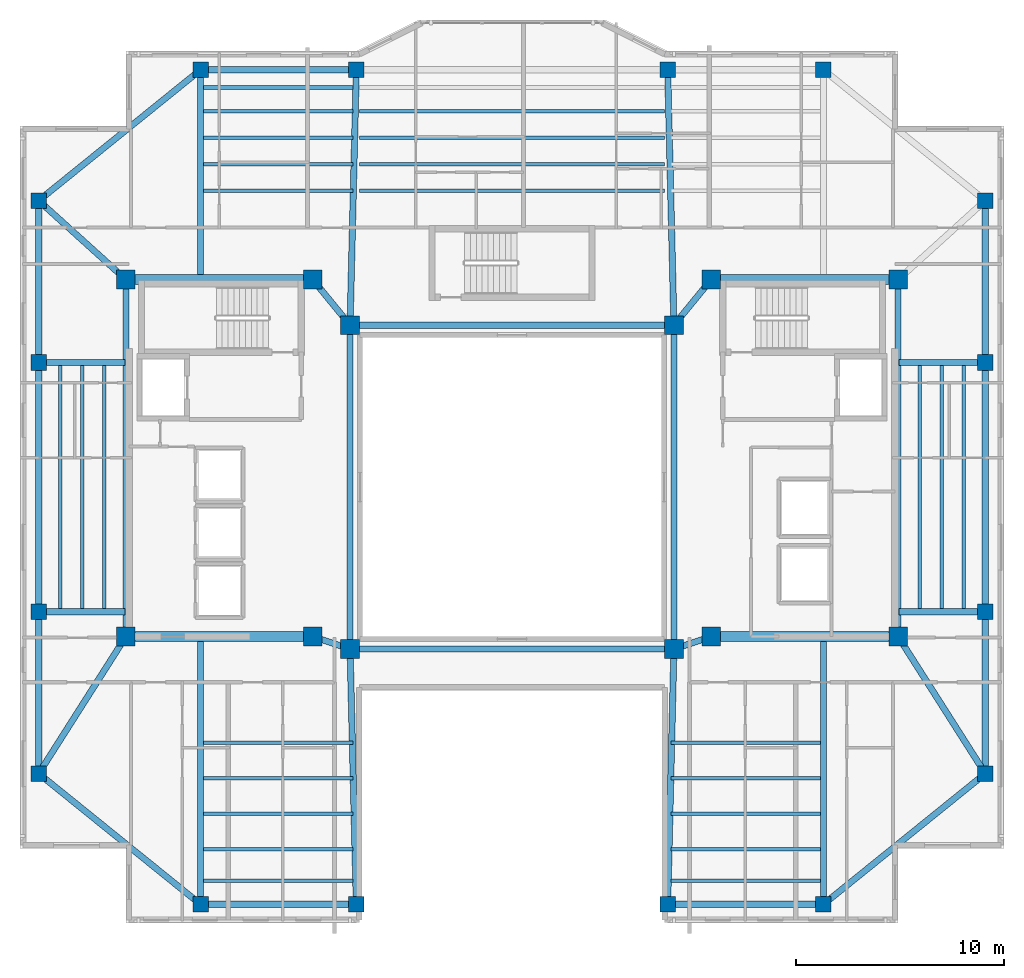
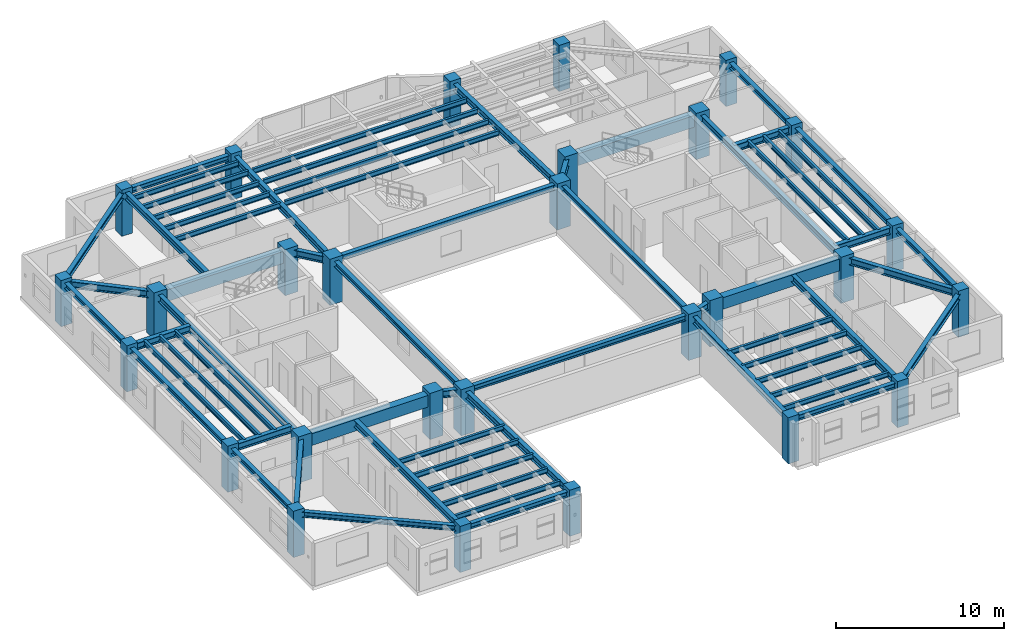
# One storey, part 1 of 12: 65 beams, 28 columns.
"""IFC4 building model written with IfcOpenShell, lengths in metres."""

from ifc_helpers import new_model, si_unit, direction, frame, origin, origin_2d, place, context, subcontext, project, spatial, rectangle, i_section, extrude, material, material_profile, profile_set, type_object, element, save


model = new_model("IFC4")

# Units and contexts
model_context = context("Model", 3, precision=1e-05, world=origin(), true_north=direction((0.0, 1.0)))
body_context = subcontext(model_context, "Body", "Model", "MODEL_VIEW")
ifc_project = project(units=[si_unit("LENGTHUNIT", "METRE"), si_unit("AREAUNIT", "SQUARE_METRE"), si_unit("VOLUMEUNIT", "CUBIC_METRE"), si_unit("PLANEANGLEUNIT", "RADIAN"), si_unit("MASSUNIT", "GRAM", prefix="KILO")], contexts=[model_context])

# Site, building, storey
site_placement = place(None, origin())
site = spatial("IfcSite", under=ifc_project, at=site_placement, CompositionType="ELEMENT")
building_placement = place(site_placement, origin())
building = spatial("IfcBuilding", under=site, at=building_placement, Name="Tarnavaz Court Tower", CompositionType="ELEMENT")
storey_placement = place(building_placement, frame((0.0, 0.0, 210.35009765625)))
storey = spatial("IfcBuildingStorey", under=building, at=storey_placement, Name="L57", CompositionType="ELEMENT", Elevation=210.35009765625)

# Columns
ifc_material_1 = material(Name="Concrete C50/60", Category="concrete")
ifc_material_profile_1 = material_profile(ifc_material_1, rectangle(XDim=0.75, YDim=0.75, at=origin_2d()), Name="RC 750X750")
ifc_profile_set_1 = profile_set([ifc_material_profile_1], Name="Concrete C50/60")
column_type_1 = type_object("IfcColumnType", Name="CL-RC750", PredefinedType="COLUMN", material=ifc_profile_set_1)
for number, where, z_axis, x_axis, name in (
    (1, (-15.0, 20.10009765625, 0.0), (0.0, 0.0, 1.0), (1.0, 0.0, 0.0), "L57 Column PN-1"),
    (2, (-7.5, 20.10009765625, 0.0), (0.0, 0.0, 1.0), (1.0, 0.0, 0.0), "L57 Column PN-2"),
    (3, (7.5, 20.10009765625, 0.0), (0.0, 0.0, 1.0), (1.0, 0.0, 0.0), "L57 Column PN-3"),
    (4, (15.0, 20.10009765625, 0.0), (0.0, 0.0, 1.0), (1.0, 0.0, 0.0), "L57 Column PN-4"),
    (5, (-15.0, -20.10009765625, 0.0), (0.0, 0.0, 1.0), (1.0, 0.0, 0.0), "L57 Column PS-1"),
    (6, (-7.5, -20.10009765625, 0.0), (0.0, 0.0, 1.0), (1.0, 0.0, 0.0), "L57 Column PS-2"),
    (7, (7.5, -20.10009765625, 0.0), (0.0, 0.0, 1.0), (1.0, 0.0, 0.0), "L57 Column PS-3"),
    (8, (15.0, -20.10009765625, 0.0), (0.0, 0.0, 1.0), (1.0, 0.0, 0.0), "L57 Column PS-4"),
    (9, (22.800048828125, -13.800048828125, 0.0), (0.0, 0.0, 1.0), (1.0, 0.0, 0.0), "L57 Column PE-1"),
    (10, (22.800048828125, -6.0, 0.0), (0.0, 0.0, 1.0), (1.0, 0.0, 0.0), "L57 Column PE-2"),
    (11, (22.800048828125, 6.0, 0.0), (0.0, 0.0, 1.0), (1.0, 0.0, 0.0), "L57 Column PE-3"),
    (12, (22.800048828125, 13.800048828125, 0.0), (0.0, 0.0, 1.0), (1.0, 0.0, 0.0), "L57 Column PE-4"),
    (13, (-22.800048828125, -13.800048828125, 0.0), (0.0, 0.0, 1.0), (1.0, 0.0, 0.0), "L57 Column PW-1"),
    (14, (-22.800048828125, -6.0, 0.0), (0.0, 0.0, 1.0), (1.0, 0.0, 0.0), "L57 Column PW-2"),
    (15, (-22.800048828125, 6.0, 0.0), (0.0, 0.0, 1.0), (1.0, 0.0, 0.0), "L57 Column PW-3"),
    (16, (-22.800048828125, 13.800048828125, 0.0), (0.0, 0.0, 1.0), (1.0, 0.0, 0.0), "L57 Column PW-4"),
):
    element("IfcColumn", number, at=place(storey_placement, frame(where, z_axis=z_axis, x_axis=x_axis)), inside=storey, type_object=column_type_1, Name=name, PredefinedType="COLUMN", context=body_context, shape_type="SweptSolid", body=[
        extrude(rectangle(XDim=0.75, YDim=0.75, at=origin_2d()), origin(), (0.0, 0.0, 1.0), 3.349853515625),
    ])
ifc_material_profile_2 = material_profile(ifc_material_1, rectangle(XDim=0.89990234375, YDim=0.89990234375, at=origin_2d()), Name="RC 900X900")
ifc_profile_set_2 = profile_set([ifc_material_profile_2], Name="Concrete C50/60")
column_type_2 = type_object("IfcColumnType", Name="CL-RC900", PredefinedType="COLUMN", material=ifc_profile_set_2)
for number, where, z_axis, x_axis, name in (
    (17, (-7.800048828125, -7.800048828125, 0.0), (0.0, 0.0, 1.0), (1.0, 0.0, 0.0), "L57 Column IW-SW"),
    (18, (7.800048828125, -7.800048828125, 0.0), (0.0, 0.0, 1.0), (1.0, 0.0, 0.0), "L57 Column IW-SE"),
    (19, (-7.800048828125, 7.800048828125, 0.0), (0.0, 0.0, 1.0), (1.0, 0.0, 0.0), "L57 Column IW-NW"),
    (20, (7.800048828125, 7.800048828125, 0.0), (0.0, 0.0, 1.0), (1.0, 0.0, 0.0), "L57 Column IW-NE"),
    (21, (-9.60009765625, -7.199951171875, 0.0), (0.0, 0.0, 1.0), (1.0, 0.0, 0.0), "L57 Column CW-SI"),
    (22, (-9.60009765625, 10.0, 0.0), (0.0, 0.0, 1.0), (1.0, 0.0, 0.0), "L57 Column CW-NI"),
    (23, (9.60009765625, -7.199951171875, 0.0), (0.0, 0.0, 1.0), (1.0, 0.0, 0.0), "L57 Column CE-SI"),
    (24, (9.60009765625, 10.0, 0.0), (0.0, 0.0, 1.0), (1.0, 0.0, 0.0), "L57 Column CE-NI"),
    (25, (-18.60009765625, -7.199951171875, 0.0), (0.0, 0.0, 1.0), (1.0, 0.0, 0.0), "L57 Column CW-SO"),
    (26, (-18.60009765625, 10.0, 0.0), (0.0, 0.0, 1.0), (1.0, 0.0, 0.0), "L57 Column CW-NO"),
    (27, (18.60009765625, -7.199951171875, 0.0), (0.0, 0.0, 1.0), (1.0, 0.0, 0.0), "L57 Column CE-SO"),
    (28, (18.60009765625, 10.0, 0.0), (0.0, 0.0, 1.0), (1.0, 0.0, 0.0), "L57 Column CE-NO"),
):
    element("IfcColumn", number, at=place(storey_placement, frame(where, z_axis=z_axis, x_axis=x_axis)), inside=storey, type_object=column_type_2, Name=name, PredefinedType="COLUMN", context=body_context, shape_type="SweptSolid", body=[
        extrude(rectangle(XDim=0.89990234375, YDim=0.89990234375, at=origin_2d()), origin(), (0.0, 0.0, 1.0), 3.349853515625),
    ])

# Beams
ifc_material_profile_3 = material_profile(ifc_material_1, rectangle(XDim=0.5, YDim=0.85009765625, at=origin_2d()), Name="RC 500X850")
ifc_profile_set_3 = profile_set([ifc_material_profile_3], Name="Concrete C50/60")
beam_type_1 = type_object("IfcBeamType", Name="BM-CB850", PredefinedType="LINTEL", material=ifc_profile_set_3)
for number, where, z_axis, x_axis, name in (
    (29, (-18.3798828125, -7.199951171875, 2.6748046875), (1.0, 0.0, 0.0), (0.0, 1.0, 0.0), "L57 Beam IN-CW-SO-CW-SI"),
    (30, (-18.3798828125, 10.0, 2.6748046875), (1.0, 0.0, 0.0), (0.0, 1.0, 0.0), "L57 Beam IN-CW-NO-CW-NI"),
    (31, (18.3798828125, -7.199951171875, 2.6748046875), (-1.0, 0.0, 0.0), (0.0, -1.0, 0.0), "L57 Beam IN-CE-SO-CE-SI"),
    (32, (18.3798828125, 10.0, 2.6748046875), (-1.0, 0.0, 0.0), (0.0, -1.0, 0.0), "L57 Beam IN-CE-NO-CE-NI"),
):
    element("IfcBeam", number, at=place(storey_placement, frame(where, z_axis=z_axis, x_axis=x_axis)), inside=storey, type_object=beam_type_1, Name=name, PredefinedType="LINTEL", context=body_context, shape_type="SweptSolid", body=[
        extrude(rectangle(XDim=0.5, YDim=0.85009765625, at=origin_2d()), origin(), (0.0, 0.0, 1.0), 8.559814453125),
    ])
ifc_material_2 = material(Name="Steel S355", Category="steel")
ifc_material_profile_4 = material_profile(ifc_material_2, i_section(OverallWidth=0.300048828125, OverallDepth=0.5, WebThickness=0.014404296875, FlangeThickness=0.028076171875, FilletRadius=0.027099609375, at=origin_2d()), Name="HEB 500")
ifc_profile_set_4 = profile_set([ifc_material_profile_4], Name="Steel S355")
beam_type_2 = type_object("IfcBeamType", Name="BM-G-HEB500", PredefinedType="USERDEFINED", material=ifc_profile_set_4)
for number, where, z_axis, x_axis, name in (
    (33, (-9.391357421875, -7.26953125, 2.849853515625), (0.948666544706, -0.316278021615, 0.0), (0.316278021615, 0.948666544706, 0.0), "L57 Beam IN-CW-SI-IW-SW"),
    (34, (9.391357421875, -7.26953125, 2.849853515625), (-0.948666544706, -0.316278021615, 0.0), (0.316278021615, -0.948666544706, 0.0), "L57 Beam IN-CE-SI-IW-SE"),
):
    element("IfcBeam", number, at=place(storey_placement, frame(where, z_axis=z_axis, x_axis=x_axis)), inside=storey, type_object=beam_type_2, Name=name, ObjectType="GIRDER", PredefinedType="USERDEFINED", context=body_context, shape_type="SweptSolid", body=[
        extrude(i_section(OverallWidth=0.300048828125, OverallDepth=0.5, WebThickness=0.014404296875, FlangeThickness=0.028076171875, FilletRadius=0.027099609375, at=origin_2d()), origin(), (0.0, 0.0, 1.0), 1.457275390625),
    ])
for number, where, z_axis, x_axis, name in (
    (35, (-9.460693359375, 9.82958984375, 2.849853515625), (0.633282058357, -0.773921077735, 0.0), (0.773921077735, 0.633282058357, 0.0), "L57 Beam IN-CW-NI-IW-NW"),
    (36, (9.460693359375, 9.82958984375, 2.849853515625), (-0.633282058357, -0.773921077735, 0.0), (0.773921077735, -0.633282058357, 0.0), "L57 Beam IN-CE-NI-IW-NE"),
):
    element("IfcBeam", number, at=place(storey_placement, frame(where, z_axis=z_axis, x_axis=x_axis)), inside=storey, type_object=beam_type_2, Name=name, ObjectType="GIRDER", PredefinedType="USERDEFINED", context=body_context, shape_type="SweptSolid", body=[
        extrude(i_section(OverallWidth=0.300048828125, OverallDepth=0.5, WebThickness=0.014404296875, FlangeThickness=0.028076171875, FilletRadius=0.027099609375, at=origin_2d()), origin(), (0.0, 0.0, 1.0), 2.402587890625),
    ])
for number, where, z_axis, x_axis, name in (
    (37, (-18.60009765625, -6.97998046875, 2.849853515625), (0.0, 1.0, 0.0), (-1.0, 0.0, 0.0), "L57 Beam IN-CW-SO-CW-NO"),
    (38, (18.60009765625, -6.97998046875, 2.849853515625), (0.0, 1.0, 0.0), (-1.0, 0.0, 0.0), "L57 Beam IN-CE-SO-CE-NO"),
):
    element("IfcBeam", number, at=place(storey_placement, frame(where, z_axis=z_axis, x_axis=x_axis)), inside=storey, type_object=beam_type_2, Name=name, ObjectType="GIRDER", PredefinedType="USERDEFINED", context=body_context, shape_type="SweptSolid", body=[
        extrude(i_section(OverallWidth=0.300048828125, OverallDepth=0.5, WebThickness=0.014404296875, FlangeThickness=0.028076171875, FilletRadius=0.027099609375, at=origin_2d()), origin(), (0.0, 0.0, 1.0), 16.760009765625),
    ])
beam_1_placement = place(storey_placement, frame((-15.0, 10.0400390625, 2.849853515625), z_axis=(0.0, 1.0, 0.0), x_axis=(-1.0, 0.0, 0.0)))
element("IfcBeam", 39, at=beam_1_placement, inside=storey, type_object=beam_type_2, Name="L57 Beam RG-01", ObjectType="GIRDER", PredefinedType="USERDEFINED", context=body_context, shape_type="SweptSolid", body=[
    extrude(i_section(OverallWidth=0.300048828125, OverallDepth=0.5, WebThickness=0.014404296875, FlangeThickness=0.028076171875, FilletRadius=0.027099609375, at=origin_2d()), origin(), (0.0, 0.0, 1.0), 9.83984375),
])
for number, where, z_axis, x_axis, name in (
    (40, (-7.794677734375, 8.02001953125, 2.849853515625), (0.024386002211, 0.99970261723, 0.0), (-0.99970261723, 0.024386002211, 0.0), "L57 Beam RG-02"),
    (41, (7.794677734375, 8.02001953125, 2.849853515625), (-0.024386002211, 0.99970261723, 0.0), (-0.99970261723, -0.024386002211, 0.0), "L57 Beam RG-03"),
):
    element("IfcBeam", number, at=place(storey_placement, frame(where, z_axis=z_axis, x_axis=x_axis)), inside=storey, type_object=beam_type_2, Name=name, ObjectType="GIRDER", PredefinedType="USERDEFINED", context=body_context, shape_type="SweptSolid", body=[
        extrude(i_section(OverallWidth=0.300048828125, OverallDepth=0.5, WebThickness=0.014404296875, FlangeThickness=0.028076171875, FilletRadius=0.027099609375, at=origin_2d()), origin(), (0.0, 0.0, 1.0), 11.863525390625),
    ])
beam_2_placement = place(storey_placement, frame((-15.0, -7.239990234375, 2.849853515625), z_axis=(0.0, -1.0, 0.0), x_axis=(1.0, 0.0, 0.0)))
element("IfcBeam", 42, at=beam_2_placement, inside=storey, type_object=beam_type_2, Name="L57 Beam RG-05", ObjectType="GIRDER", PredefinedType="USERDEFINED", context=body_context, shape_type="SweptSolid", body=[
    extrude(i_section(OverallWidth=0.300048828125, OverallDepth=0.5, WebThickness=0.014404296875, FlangeThickness=0.028076171875, FilletRadius=0.027099609375, at=origin_2d()), origin(), (0.0, 0.0, 1.0), 12.639892578125),
])
for number, where, z_axis, x_axis, name in (
    (43, (-7.794677734375, -8.02001953125, 2.849853515625), (0.024386002211, -0.99970261723, 0.0), (0.99970261723, 0.024386002211, 0.0), "L57 Beam RG-06"),
    (44, (7.794677734375, -8.02001953125, 2.849853515625), (-0.024386002211, -0.99970261723, 0.0), (0.99970261723, -0.024386002211, 0.0), "L57 Beam RG-07"),
):
    element("IfcBeam", number, at=place(storey_placement, frame(where, z_axis=z_axis, x_axis=x_axis)), inside=storey, type_object=beam_type_2, Name=name, ObjectType="GIRDER", PredefinedType="USERDEFINED", context=body_context, shape_type="SweptSolid", body=[
        extrude(i_section(OverallWidth=0.300048828125, OverallDepth=0.5, WebThickness=0.014404296875, FlangeThickness=0.028076171875, FilletRadius=0.027099609375, at=origin_2d()), origin(), (0.0, 0.0, 1.0), 11.863525390625),
    ])
beam_3_placement = place(storey_placement, frame((15.0, -7.239990234375, 2.849853515625), z_axis=(0.0, -1.0, 0.0), x_axis=(1.0, 0.0, 0.0)))
element("IfcBeam", 45, at=beam_3_placement, inside=storey, type_object=beam_type_2, Name="L57 Beam RG-08", ObjectType="GIRDER", PredefinedType="USERDEFINED", context=body_context, shape_type="SweptSolid", body=[
    extrude(i_section(OverallWidth=0.300048828125, OverallDepth=0.5, WebThickness=0.014404296875, FlangeThickness=0.028076171875, FilletRadius=0.027099609375, at=origin_2d()), origin(), (0.0, 0.0, 1.0), 12.639892578125),
])
for number, where, z_axis, x_axis, name in (
    (46, (18.639892578125, -6.0, 2.849853515625), (1.0, 0.0, 0.0), (0.0, 1.0, 0.0), "L57 Beam RG-09"),
    (47, (18.639892578125, 6.0, 2.849853515625), (1.0, 0.0, 0.0), (0.0, 1.0, 0.0), "L57 Beam RG-10"),
):
    element("IfcBeam", number, at=place(storey_placement, frame(where, z_axis=z_axis, x_axis=x_axis)), inside=storey, type_object=beam_type_2, Name=name, ObjectType="GIRDER", PredefinedType="USERDEFINED", context=body_context, shape_type="SweptSolid", body=[
        extrude(i_section(OverallWidth=0.300048828125, OverallDepth=0.5, WebThickness=0.014404296875, FlangeThickness=0.028076171875, FilletRadius=0.027099609375, at=origin_2d()), origin(), (0.0, 0.0, 1.0), 3.940185546875),
    ])
beam_4_placement = place(storey_placement, frame((18.718017578125, -7.385498046875, 2.849853515625), z_axis=(0.536871212964, -0.843664210863, 0.0), x_axis=(0.843664210863, 0.536871212964, 0.0)))
element("IfcBeam", 48, at=beam_4_placement, inside=storey, type_object=beam_type_2, Name="L57 Beam RG-11", ObjectType="GIRDER", PredefinedType="USERDEFINED", context=body_context, shape_type="SweptSolid", body=[
    extrude(i_section(OverallWidth=0.300048828125, OverallDepth=0.5, WebThickness=0.014404296875, FlangeThickness=0.028076171875, FilletRadius=0.027099609375, at=origin_2d()), origin(), (0.0, 0.0, 1.0), 7.38330078125),
])
for number, where, z_axis, x_axis, name in (
    (49, (-18.639892578125, -6.0, 2.849853515625), (-1.0, 0.0, 0.0), (0.0, -1.0, 0.0), "L57 Beam RG-13"),
    (50, (-18.639892578125, 6.0, 2.849853515625), (-1.0, 0.0, 0.0), (0.0, -1.0, 0.0), "L57 Beam RG-14"),
):
    element("IfcBeam", number, at=place(storey_placement, frame(where, z_axis=z_axis, x_axis=x_axis)), inside=storey, type_object=beam_type_2, Name=name, ObjectType="GIRDER", PredefinedType="USERDEFINED", context=body_context, shape_type="SweptSolid", body=[
        extrude(i_section(OverallWidth=0.300048828125, OverallDepth=0.5, WebThickness=0.014404296875, FlangeThickness=0.028076171875, FilletRadius=0.027099609375, at=origin_2d()), origin(), (0.0, 0.0, 1.0), 3.940185546875),
    ])
beam_5_placement = place(storey_placement, frame((-18.718017578125, -7.385498046875, 2.849853515625), z_axis=(-0.536871212964, -0.843664210863, 0.0), x_axis=(0.843664210863, -0.536871212964, 0.0)))
element("IfcBeam", 51, at=beam_5_placement, inside=storey, type_object=beam_type_2, Name="L57 Beam RG-15", ObjectType="GIRDER", PredefinedType="USERDEFINED", context=body_context, shape_type="SweptSolid", body=[
    extrude(i_section(OverallWidth=0.300048828125, OverallDepth=0.5, WebThickness=0.014404296875, FlangeThickness=0.028076171875, FilletRadius=0.027099609375, at=origin_2d()), origin(), (0.0, 0.0, 1.0), 7.38330078125),
])
beam_6_placement = place(storey_placement, frame((-18.76318359375, 10.147705078125, 2.849853515625), z_axis=(-0.741555708494, 0.670891296113, 0.0), x_axis=(-0.670891296113, -0.741555708494, 0.0)))
element("IfcBeam", 52, at=beam_6_placement, inside=storey, type_object=beam_type_2, Name="L57 Beam RG-16", ObjectType="GIRDER", PredefinedType="USERDEFINED", context=body_context, shape_type="SweptSolid", body=[
    extrude(i_section(OverallWidth=0.300048828125, OverallDepth=0.5, WebThickness=0.014404296875, FlangeThickness=0.028076171875, FilletRadius=0.027099609375, at=origin_2d()), origin(), (0.0, 0.0, 1.0), 5.223876953125),
])
ifc_material_profile_5 = material_profile(ifc_material_2, i_section(OverallWidth=0.169921875, OverallDepth=0.360107421875, WebThickness=0.008056640625, FlangeThickness=0.0126953125, FilletRadius=0.01806640625, at=origin_2d()), Name="IPE 360")
ifc_profile_set_5 = profile_set([ifc_material_profile_5], Name="Steel S355")
beam_type_3 = type_object("IfcBeamType", Name="BM-J-IPE360", PredefinedType="JOIST", material=ifc_profile_set_5)
beam_7_placement = place(storey_placement, frame((-14.85009765625, 14.278076171875, 2.919921875), z_axis=(1.0, 0.0, 0.0), x_axis=(0.0, 1.0, 0.0)))
element("IfcBeam", 53, at=beam_7_placement, inside=storey, type_object=beam_type_3, Name="L57 Beam JN1-1", PredefinedType="JOIST", context=body_context, shape_type="SweptSolid", body=[
    extrude(i_section(OverallWidth=0.169921875, OverallDepth=0.360107421875, WebThickness=0.008056640625, FlangeThickness=0.0126953125, FilletRadius=0.01806640625, at=origin_2d()), origin(), (0.0, 0.0, 1.0), 7.2001953125),
])
beam_8_placement = place(storey_placement, frame((-7.35009765625, 14.278076171875, 2.919921875), z_axis=(1.0, 0.0, 0.0), x_axis=(0.0, 1.0, 0.0)))
element("IfcBeam", 54, at=beam_8_placement, inside=storey, type_object=beam_type_3, Name="L57 Beam JN1-2", PredefinedType="JOIST", context=body_context, shape_type="SweptSolid", body=[
    extrude(i_section(OverallWidth=0.169921875, OverallDepth=0.360107421875, WebThickness=0.008056640625, FlangeThickness=0.0126953125, FilletRadius=0.01806640625, at=origin_2d()), origin(), (0.0, 0.0, 1.0), 14.7001953125),
])
for number, where, z_axis, x_axis, name in (
    (55, (-14.85009765625, -12.31005859375, 2.919921875), (1.0, 0.0, 0.0), (0.0, 1.0, 0.0), "L57 Beam JS1-1"),
    (56, (7.64990234375, -12.31005859375, 2.919921875), (1.0, 0.0, 0.0), (0.0, 1.0, 0.0), "L57 Beam JS1-2"),
    (57, (-14.85009765625, 15.555908203125, 2.919921875), (1.0, 0.0, 0.0), (0.0, 1.0, 0.0), "L57 Beam JN2-1"),
):
    element("IfcBeam", number, at=place(storey_placement, frame(where, z_axis=z_axis, x_axis=x_axis)), inside=storey, type_object=beam_type_3, Name=name, PredefinedType="JOIST", context=body_context, shape_type="SweptSolid", body=[
        extrude(i_section(OverallWidth=0.169921875, OverallDepth=0.360107421875, WebThickness=0.008056640625, FlangeThickness=0.0126953125, FilletRadius=0.01806640625, at=origin_2d()), origin(), (0.0, 0.0, 1.0), 7.2001953125),
    ])
beam_9_placement = place(storey_placement, frame((-7.35009765625, 15.555908203125, 2.919921875), z_axis=(1.0, 0.0, 0.0), x_axis=(0.0, 1.0, 0.0)))
element("IfcBeam", 58, at=beam_9_placement, inside=storey, type_object=beam_type_3, Name="L57 Beam JN2-2", PredefinedType="JOIST", context=body_context, shape_type="SweptSolid", body=[
    extrude(i_section(OverallWidth=0.169921875, OverallDepth=0.360107421875, WebThickness=0.008056640625, FlangeThickness=0.0126953125, FilletRadius=0.01806640625, at=origin_2d()), origin(), (0.0, 0.0, 1.0), 14.7001953125),
])
for number, where, z_axis, x_axis, name in (
    (59, (-14.85009765625, -14.02001953125, 2.919921875), (1.0, 0.0, 0.0), (0.0, 1.0, 0.0), "L57 Beam JS2-1"),
    (60, (7.64990234375, -14.02001953125, 2.919921875), (1.0, 0.0, 0.0), (0.0, 1.0, 0.0), "L57 Beam JS2-2"),
    (61, (-14.85009765625, 16.833984375, 2.919921875), (1.0, 0.0, 0.0), (0.0, 1.0, 0.0), "L57 Beam JN3-1"),
):
    element("IfcBeam", number, at=place(storey_placement, frame(where, z_axis=z_axis, x_axis=x_axis)), inside=storey, type_object=beam_type_3, Name=name, PredefinedType="JOIST", context=body_context, shape_type="SweptSolid", body=[
        extrude(i_section(OverallWidth=0.169921875, OverallDepth=0.360107421875, WebThickness=0.008056640625, FlangeThickness=0.0126953125, FilletRadius=0.01806640625, at=origin_2d()), origin(), (0.0, 0.0, 1.0), 7.2001953125),
    ])
beam_10_placement = place(storey_placement, frame((-7.35009765625, 16.833984375, 2.919921875), z_axis=(1.0, 0.0, 0.0), x_axis=(0.0, 1.0, 0.0)))
element("IfcBeam", 62, at=beam_10_placement, inside=storey, type_object=beam_type_3, Name="L57 Beam JN3-2", PredefinedType="JOIST", context=body_context, shape_type="SweptSolid", body=[
    extrude(i_section(OverallWidth=0.169921875, OverallDepth=0.360107421875, WebThickness=0.008056640625, FlangeThickness=0.0126953125, FilletRadius=0.01806640625, at=origin_2d()), origin(), (0.0, 0.0, 1.0), 14.7001953125),
])
for number, where, z_axis, x_axis, name in (
    (63, (-14.85009765625, -15.72998046875, 2.919921875), (1.0, 0.0, 0.0), (0.0, 1.0, 0.0), "L57 Beam JS3-1"),
    (64, (7.64990234375, -15.72998046875, 2.919921875), (1.0, 0.0, 0.0), (0.0, 1.0, 0.0), "L57 Beam JS3-2"),
    (65, (-14.85009765625, 18.112060546875, 2.919921875), (1.0, 0.0, 0.0), (0.0, 1.0, 0.0), "L57 Beam JN4-1"),
):
    element("IfcBeam", number, at=place(storey_placement, frame(where, z_axis=z_axis, x_axis=x_axis)), inside=storey, type_object=beam_type_3, Name=name, PredefinedType="JOIST", context=body_context, shape_type="SweptSolid", body=[
        extrude(i_section(OverallWidth=0.169921875, OverallDepth=0.360107421875, WebThickness=0.008056640625, FlangeThickness=0.0126953125, FilletRadius=0.01806640625, at=origin_2d()), origin(), (0.0, 0.0, 1.0), 7.2001953125),
    ])
beam_11_placement = place(storey_placement, frame((-7.35009765625, 18.112060546875, 2.919921875), z_axis=(1.0, 0.0, 0.0), x_axis=(0.0, 1.0, 0.0)))
element("IfcBeam", 66, at=beam_11_placement, inside=storey, type_object=beam_type_3, Name="L57 Beam JN4-2", PredefinedType="JOIST", context=body_context, shape_type="SweptSolid", body=[
    extrude(i_section(OverallWidth=0.169921875, OverallDepth=0.360107421875, WebThickness=0.008056640625, FlangeThickness=0.0126953125, FilletRadius=0.01806640625, at=origin_2d()), origin(), (0.0, 0.0, 1.0), 14.7001953125),
])
for number, where, z_axis, x_axis, name in (
    (67, (-14.85009765625, -17.43994140625, 2.919921875), (1.0, 0.0, 0.0), (0.0, 1.0, 0.0), "L57 Beam JS4-1"),
    (68, (7.64990234375, -17.43994140625, 2.919921875), (1.0, 0.0, 0.0), (0.0, 1.0, 0.0), "L57 Beam JS4-2"),
    (69, (-14.85009765625, 19.248046875, 2.919921875), (1.0, 0.0, 0.0), (0.0, 1.0, 0.0), "L57 Beam JN5-1"),
    (70, (-14.85009765625, -18.9599609375, 2.919921875), (1.0, 0.0, 0.0), (0.0, 1.0, 0.0), "L57 Beam JS5-1"),
    (71, (7.64990234375, -18.9599609375, 2.919921875), (1.0, 0.0, 0.0), (0.0, 1.0, 0.0), "L57 Beam JS5-2"),
):
    element("IfcBeam", number, at=place(storey_placement, frame(where, z_axis=z_axis, x_axis=x_axis)), inside=storey, type_object=beam_type_3, Name=name, PredefinedType="JOIST", context=body_context, shape_type="SweptSolid", body=[
        extrude(i_section(OverallWidth=0.169921875, OverallDepth=0.360107421875, WebThickness=0.008056640625, FlangeThickness=0.0126953125, FilletRadius=0.01806640625, at=origin_2d()), origin(), (0.0, 0.0, 1.0), 7.2001953125),
    ])
for number, where, z_axis, x_axis, name in (
    (72, (19.64990234375, -5.9599609375, 2.919921875), (0.0, 1.0, 0.0), (-1.0, 0.0, 0.0), "L57 Beam JE1"),
    (73, (-19.64990234375, -5.9599609375, 2.919921875), (0.0, 1.0, 0.0), (-1.0, 0.0, 0.0), "L57 Beam JW1"),
    (74, (20.699951171875, -5.9599609375, 2.919921875), (0.0, 1.0, 0.0), (-1.0, 0.0, 0.0), "L57 Beam JE2"),
    (75, (-20.699951171875, -5.9599609375, 2.919921875), (0.0, 1.0, 0.0), (-1.0, 0.0, 0.0), "L57 Beam JW2"),
    (76, (21.75, -5.9599609375, 2.919921875), (0.0, 1.0, 0.0), (-1.0, 0.0, 0.0), "L57 Beam JE3"),
    (77, (-21.75, -5.9599609375, 2.919921875), (0.0, 1.0, 0.0), (-1.0, 0.0, 0.0), "L57 Beam JW3"),
):
    element("IfcBeam", number, at=place(storey_placement, frame(where, z_axis=z_axis, x_axis=x_axis)), inside=storey, type_object=beam_type_3, Name=name, PredefinedType="JOIST", context=body_context, shape_type="SweptSolid", body=[
        extrude(i_section(OverallWidth=0.169921875, OverallDepth=0.360107421875, WebThickness=0.008056640625, FlangeThickness=0.0126953125, FilletRadius=0.01806640625, at=origin_2d()), origin(), (0.0, 0.0, 1.0), 11.919921875),
    ])
ifc_material_profile_6 = material_profile(ifc_material_2, i_section(OverallWidth=0.300048828125, OverallDepth=0.389892578125, WebThickness=0.010986328125, FlangeThickness=0.01904296875, FilletRadius=0.027099609375, at=origin_2d()), Name="HEA 400")
ifc_profile_set_6 = profile_set([ifc_material_profile_6], Name="Steel S355")
beam_type_4 = type_object("IfcBeamType", Name="BM-SP-HEA400", PredefinedType="BEAM", material=ifc_profile_set_6)
for number, where, z_axis, x_axis, name in (
    (78, (-7.580078125, -7.800048828125, 2.90478515625), (1.0, 0.0, 0.0), (0.0, 1.0, 0.0), "L57 Beam IN-IW-SW-IW-SE"),
    (79, (-7.580078125, 7.800048828125, 2.90478515625), (1.0, 0.0, 0.0), (0.0, 1.0, 0.0), "L57 Beam IN-IW-NW-IW-NE"),
    (80, (-7.800048828125, -7.580078125, 2.90478515625), (0.0, 1.0, 0.0), (-1.0, 0.0, 0.0), "L57 Beam IN-IW-SW-IW-NW"),
    (81, (7.800048828125, -7.580078125, 2.90478515625), (0.0, 1.0, 0.0), (-1.0, 0.0, 0.0), "L57 Beam IN-IW-SE-IW-NE"),
):
    element("IfcBeam", number, at=place(storey_placement, frame(where, z_axis=z_axis, x_axis=x_axis)), inside=storey, type_object=beam_type_4, Name=name, PredefinedType="BEAM", context=body_context, shape_type="SweptSolid", body=[
        extrude(i_section(OverallWidth=0.300048828125, OverallDepth=0.389892578125, WebThickness=0.010986328125, FlangeThickness=0.01904296875, FilletRadius=0.027099609375, at=origin_2d()), origin(), (0.0, 0.0, 1.0), 15.16015625),
    ])
for number, where, z_axis, x_axis, name in (
    (82, (-14.780029296875, 20.10009765625, 2.90478515625), (1.0, 0.0, 0.0), (0.0, 1.0, 0.0), "L57 Beam PR-PN-1-PN-2"),
    (83, (-14.780029296875, -20.10009765625, 2.90478515625), (1.0, 0.0, 0.0), (0.0, 1.0, 0.0), "L57 Beam PR-PS-1-PS-2"),
    (84, (7.719970703125, -20.10009765625, 2.90478515625), (1.0, 0.0, 0.0), (0.0, 1.0, 0.0), "L57 Beam PR-PS-3-PS-4"),
):
    element("IfcBeam", number, at=place(storey_placement, frame(where, z_axis=z_axis, x_axis=x_axis)), inside=storey, type_object=beam_type_4, Name=name, PredefinedType="BEAM", context=body_context, shape_type="SweptSolid", body=[
        extrude(i_section(OverallWidth=0.300048828125, OverallDepth=0.389892578125, WebThickness=0.010986328125, FlangeThickness=0.01904296875, FilletRadius=0.027099609375, at=origin_2d()), origin(), (0.0, 0.0, 1.0), 7.06005859375),
    ])
beam_12_placement = place(storey_placement, frame((22.800048828125, -13.580078125, 2.90478515625), z_axis=(0.0, 1.0, 0.0), x_axis=(-1.0, 0.0, 0.0)))
element("IfcBeam", 85, at=beam_12_placement, inside=storey, type_object=beam_type_4, Name="L57 Beam PR-PE-1-PE-2", PredefinedType="BEAM", context=body_context, shape_type="SweptSolid", body=[
    extrude(i_section(OverallWidth=0.300048828125, OverallDepth=0.389892578125, WebThickness=0.010986328125, FlangeThickness=0.01904296875, FilletRadius=0.027099609375, at=origin_2d()), origin(), (0.0, 0.0, 1.0), 7.360107421875),
])
beam_13_placement = place(storey_placement, frame((22.800048828125, -5.780029296875, 2.90478515625), z_axis=(0.0, 1.0, 0.0), x_axis=(-1.0, 0.0, 0.0)))
element("IfcBeam", 86, at=beam_13_placement, inside=storey, type_object=beam_type_4, Name="L57 Beam PR-PE-2-PE-3", PredefinedType="BEAM", context=body_context, shape_type="SweptSolid", body=[
    extrude(i_section(OverallWidth=0.300048828125, OverallDepth=0.389892578125, WebThickness=0.010986328125, FlangeThickness=0.01904296875, FilletRadius=0.027099609375, at=origin_2d()), origin(), (0.0, 0.0, 1.0), 11.56005859375),
])
for number, where, z_axis, x_axis, name in (
    (87, (22.800048828125, 6.219970703125, 2.90478515625), (0.0, 1.0, 0.0), (-1.0, 0.0, 0.0), "L57 Beam PR-PE-3-PE-4"),
    (88, (-22.800048828125, -13.580078125, 2.90478515625), (0.0, 1.0, 0.0), (-1.0, 0.0, 0.0), "L57 Beam PR-PW-1-PW-2"),
):
    element("IfcBeam", number, at=place(storey_placement, frame(where, z_axis=z_axis, x_axis=x_axis)), inside=storey, type_object=beam_type_4, Name=name, PredefinedType="BEAM", context=body_context, shape_type="SweptSolid", body=[
        extrude(i_section(OverallWidth=0.300048828125, OverallDepth=0.389892578125, WebThickness=0.010986328125, FlangeThickness=0.01904296875, FilletRadius=0.027099609375, at=origin_2d()), origin(), (0.0, 0.0, 1.0), 7.360107421875),
    ])
beam_14_placement = place(storey_placement, frame((-22.800048828125, -5.780029296875, 2.90478515625), z_axis=(0.0, 1.0, 0.0), x_axis=(-1.0, 0.0, 0.0)))
element("IfcBeam", 89, at=beam_14_placement, inside=storey, type_object=beam_type_4, Name="L57 Beam PR-PW-2-PW-3", PredefinedType="BEAM", context=body_context, shape_type="SweptSolid", body=[
    extrude(i_section(OverallWidth=0.300048828125, OverallDepth=0.389892578125, WebThickness=0.010986328125, FlangeThickness=0.01904296875, FilletRadius=0.027099609375, at=origin_2d()), origin(), (0.0, 0.0, 1.0), 11.56005859375),
])
beam_15_placement = place(storey_placement, frame((-22.800048828125, 6.219970703125, 2.90478515625), z_axis=(0.0, 1.0, 0.0), x_axis=(-1.0, 0.0, 0.0)))
element("IfcBeam", 90, at=beam_15_placement, inside=storey, type_object=beam_type_4, Name="L57 Beam PR-PW-3-PW-4", PredefinedType="BEAM", context=body_context, shape_type="SweptSolid", body=[
    extrude(i_section(OverallWidth=0.300048828125, OverallDepth=0.389892578125, WebThickness=0.010986328125, FlangeThickness=0.01904296875, FilletRadius=0.027099609375, at=origin_2d()), origin(), (0.0, 0.0, 1.0), 7.360107421875),
])
for number, where, z_axis, x_axis, name in (
    (91, (22.62890625, -13.938232421875, 2.90478515625), (-0.777935913531, -0.628343627674, 0.0), (0.628343627674, -0.777935913531, 0.0), "L57 Beam PR-PE-1-PS-4"),
    (92, (-15.171142578125, -19.9619140625, 2.90478515625), (-0.777935913531, 0.628343627674, 0.0), (-0.628343627674, -0.777935913531, 0.0), "L57 Beam PR-PS-1-PW-1"),
    (93, (-22.62890625, 13.938232421875, 2.90478515625), (0.777935913531, 0.628343627674, 0.0), (-0.628343627674, 0.777935913531, 0.0), "L57 Beam PR-PW-4-PN-1"),
):
    element("IfcBeam", number, at=place(storey_placement, frame(where, z_axis=z_axis, x_axis=x_axis)), inside=storey, type_object=beam_type_4, Name=name, PredefinedType="BEAM", context=body_context, shape_type="SweptSolid", body=[
        extrude(i_section(OverallWidth=0.300048828125, OverallDepth=0.389892578125, WebThickness=0.010986328125, FlangeThickness=0.01904296875, FilletRadius=0.027099609375, at=origin_2d()), origin(), (0.0, 0.0, 1.0), 9.586669921875),
    ])

save(model, "model.ifc")
